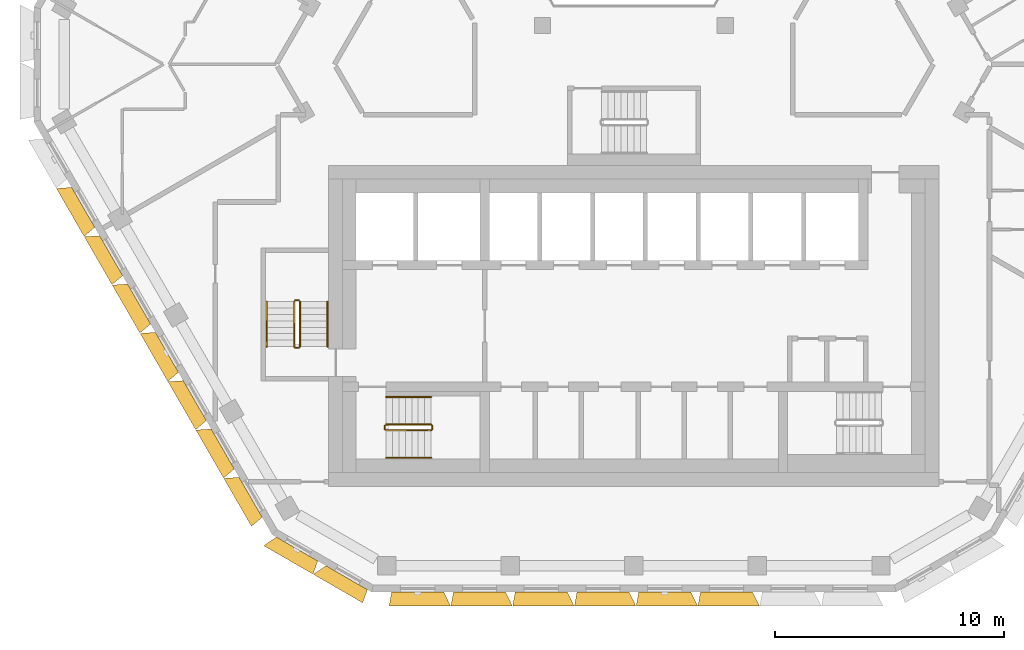
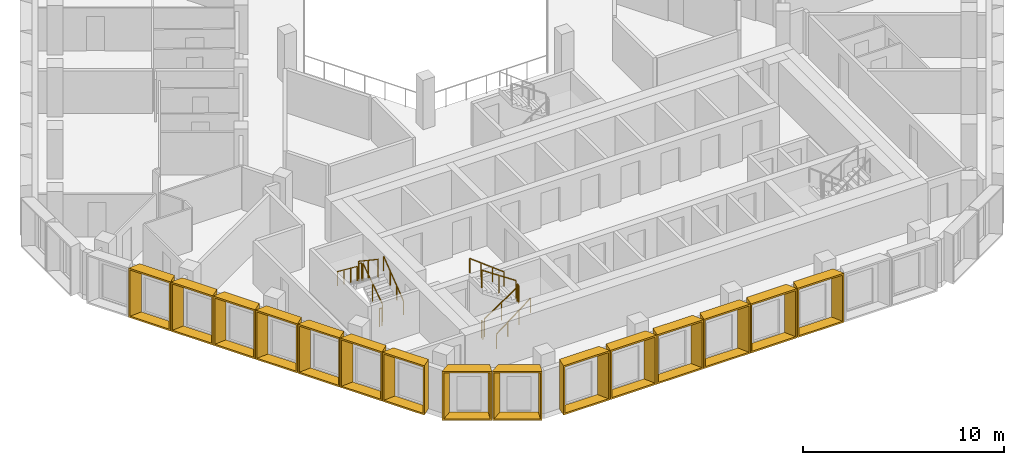
# One storey, part 14 of 18: 15 shading devices, 12 railings.
"""IFC4 building model written with IfcOpenShell, lengths in metres."""

from ifc_helpers import new_model, entity, si_unit, direction, frame, origin, origin_2d, place, context, subcontext, project, spatial, rectangle, extrude, source, transform, mapped, material, type_object, type_shapes, element, save


model = new_model("IFC4")

# Units and contexts
model_context = context("Model", 3, precision=1e-05, world=origin(), true_north=direction((0.0, 1.0)))
body_context = subcontext(model_context, "Body", "Model", "MODEL_VIEW")
ifc_project = project(units=[si_unit("LENGTHUNIT", "METRE"), si_unit("AREAUNIT", "SQUARE_METRE"), si_unit("VOLUMEUNIT", "CUBIC_METRE"), si_unit("PLANEANGLEUNIT", "RADIAN"), si_unit("MASSUNIT", "GRAM", prefix="KILO")], contexts=[model_context])

# Site, building, storey
site_placement = place(None, origin())
site = spatial("IfcSite", under=ifc_project, at=site_placement, CompositionType="ELEMENT")
building_placement = place(site_placement, origin())
building = spatial("IfcBuilding", under=site, at=building_placement, Name="Beryl Residences", CompositionType="ELEMENT")
storey_placement = place(building_placement, frame((0.0, 0.0, 196.199951171875)))
storey = spatial("IfcBuildingStorey", under=building, at=storey_placement, Name="L60", CompositionType="ELEMENT", Elevation=196.199951171875)

# Shading devices
ifc_material_1 = material(Name="Aluminium pale anodised", Category="aluminium")
shading_device_type_1 = type_object("IfcShadingDeviceType", Name="FR243-60B OUTER SKIN frame 600 mm deep, splay 26/10 deg, 2430 x 3000 mm cell", PredefinedType="USERDEFINED", material=ifc_material_1)
cartesian_point_1 = entity("IfcCartesianPoint", [-1.005615234375, 0.0])
cartesian_point_2 = entity("IfcCartesianPoint", [-0.91650390625, 0.10009765625])
cartesian_point_3 = entity("IfcCartesianPoint", [-1.298095703125, 0.0])
cartesian_point_4 = entity("IfcCartesianPoint", [-1.209228515625, 0.10009765625])
shared_shape_1 = source(origin(), body_context, "Body", "SweptSolid", [
    entity("IfcExtrudedAreaSolidTapered", entity("IfcArbitraryProfileDefWithVoids", "AREA", None, entity("IfcPolyline", [cartesian_point_1, entity("IfcCartesianPoint", [1.005615234375, 0.0]), entity("IfcCartesianPoint", [1.005615234375, 3.0]), entity("IfcCartesianPoint", [-1.005615234375, 3.0]), cartesian_point_1]), [entity("IfcPolyline", [cartesian_point_2, entity("IfcCartesianPoint", [0.92431640625, 0.10009765625]), entity("IfcCartesianPoint", [0.92431640625, 2.89990234375]), entity("IfcCartesianPoint", [-0.91650390625, 2.89990234375]), cartesian_point_2])]), entity("IfcAxis2Placement3D", entity("IfcCartesianPoint", [0.0, 0.0, 0.0]), entity("IfcDirection", [0.0, 1.0, 0.0]), entity("IfcDirection", [-1.0, 0.0, 0.0])), entity("IfcDirection", [0.0, 0.0, 1.0]), 0.60009765625, entity("IfcArbitraryProfileDefWithVoids", "AREA", None, entity("IfcPolyline", [cartesian_point_3, entity("IfcCartesianPoint", [1.111328125, 0.0]), entity("IfcCartesianPoint", [1.111328125, 3.0]), entity("IfcCartesianPoint", [-1.298095703125, 3.0]), cartesian_point_3]), [entity("IfcPolyline", [cartesian_point_4, entity("IfcCartesianPoint", [1.030029296875, 0.10009765625]), entity("IfcCartesianPoint", [1.030029296875, 2.89990234375]), entity("IfcCartesianPoint", [-1.209228515625, 2.89990234375]), cartesian_point_4])])),
])
type_shapes(shading_device_type_1, [shared_shape_1])
for number, where, z_axis, x_axis, name in (
    (1, (-23.9970703125, -6.833984375, 0.0), (0.0, 0.0, 1.0), (-0.5, 0.866025403784, 0.0), "FR243-60B frame L60 SW 2"),
    (2, (-22.781005859375, -8.93994140625, 0.0), (0.0, 0.0, 1.0), (-0.5, 0.866025403784, 0.0), "FR243-60B frame L60 SW 3"),
    (3, (-21.56494140625, -11.0458984375, 0.0), (0.0, 0.0, 1.0), (-0.5, 0.866025403784, 0.0), "FR243-60B frame L60 SW 4"),
    (4, (-20.35009765625, -13.152099609375, 0.0), (0.0, 0.0, 1.0), (-0.5, 0.866025403784, 0.0), "FR243-60B frame L60 SW 5"),
    (5, (-19.134033203125, -15.258056640625, 0.0), (0.0, 0.0, 1.0), (-0.5, 0.866025403784, 0.0), "FR243-60B frame L60 SW 6"),
    (6, (-17.91796875, -17.364990234375, 0.0), (0.0, 0.0, 1.0), (-0.5, 0.866025403784, 0.0), "FR243-60B frame L60 SW 7"),
    (7, (-16.701904296875, -19.470947265625, 0.0), (0.0, 0.0, 1.0), (-0.5, 0.866025403784, 0.0), "FR243-60B frame L60 SW 8"),
):
    element("IfcShadingDevice", number, at=place(storey_placement, frame(where, z_axis=z_axis, x_axis=x_axis)), inside=storey, type_object=shading_device_type_1, Name=name, ObjectType="OUTER SKIN", PredefinedType="USERDEFINED", context=body_context, shape_type="MappedRepresentation", body=[
        mapped(shared_shape_1, transform((0.0, 0.0, 0.0))),
    ])
ifc_material_2 = material(Name="Aluminium pale anodised", Category="aluminium")
shading_device_type_2 = type_object("IfcShadingDeviceType", Name="FR250-60B OUTER SKIN frame 600 mm deep, splay 26/10 deg, 2500 x 3000 mm cell", PredefinedType="USERDEFINED", material=ifc_material_2)
cartesian_point_5 = entity("IfcCartesianPoint", [-1.04052734375, 0.0])
cartesian_point_6 = entity("IfcCartesianPoint", [-0.951416015625, 0.10009765625])
cartesian_point_7 = entity("IfcCartesianPoint", [-1.333251953125, 0.0])
cartesian_point_8 = entity("IfcCartesianPoint", [-1.244140625, 0.10009765625])
shared_shape_2 = source(origin(), body_context, "Body", "SweptSolid", [
    entity("IfcExtrudedAreaSolidTapered", entity("IfcArbitraryProfileDefWithVoids", "AREA", None, entity("IfcPolyline", [cartesian_point_5, entity("IfcCartesianPoint", [1.04052734375, 0.0]), entity("IfcCartesianPoint", [1.04052734375, 3.0]), entity("IfcCartesianPoint", [-1.04052734375, 3.0]), cartesian_point_5]), [entity("IfcPolyline", [cartesian_point_6, entity("IfcCartesianPoint", [0.959228515625, 0.10009765625]), entity("IfcCartesianPoint", [0.959228515625, 2.89990234375]), entity("IfcCartesianPoint", [-0.951416015625, 2.89990234375]), cartesian_point_6])]), entity("IfcAxis2Placement3D", entity("IfcCartesianPoint", [0.0, 0.0, 0.0]), entity("IfcDirection", [0.0, 1.0, 0.0]), entity("IfcDirection", [-1.0, 0.0, 0.0])), entity("IfcDirection", [0.0, 0.0, 1.0]), 0.60009765625, entity("IfcArbitraryProfileDefWithVoids", "AREA", None, entity("IfcPolyline", [cartesian_point_7, entity("IfcCartesianPoint", [1.146240234375, 0.0]), entity("IfcCartesianPoint", [1.146240234375, 3.0]), entity("IfcCartesianPoint", [-1.333251953125, 3.0]), cartesian_point_7]), [entity("IfcPolyline", [cartesian_point_8, entity("IfcCartesianPoint", [1.06494140625, 0.10009765625]), entity("IfcCartesianPoint", [1.06494140625, 2.89990234375]), entity("IfcCartesianPoint", [-1.244140625, 2.89990234375]), cartesian_point_8])])),
])
type_shapes(shading_device_type_2, [shared_shape_2])
for number, where, z_axis, x_axis, name in (
    (8, (-14.677978515625, -21.72509765625, 0.0), (0.0, 0.0, 1.0), (-0.866025403784, 0.5, 0.0), "FR250-60B frame L60 SW-S 1"),
    (9, (-12.513916015625, -22.97509765625, 0.0), (0.0, 0.0, 1.0), (-0.866025403784, 0.5, 0.0), "FR250-60B frame L60 SW-S 2"),
):
    element("IfcShadingDevice", number, at=place(storey_placement, frame(where, z_axis=z_axis, x_axis=x_axis)), inside=storey, type_object=shading_device_type_2, Name=name, ObjectType="OUTER SKIN", PredefinedType="USERDEFINED", context=body_context, shape_type="MappedRepresentation", body=[
        mapped(shared_shape_2, transform((0.0, 0.0, 0.0))),
    ])
ifc_material_3 = material(Name="Aluminium pale anodised", Category="aluminium")
shading_device_type_3 = type_object("IfcShadingDeviceType", Name="FR269-60C OUTER SKIN frame 600 mm deep, splay 10/26 deg, 2690 x 3000 mm cell", PredefinedType="USERDEFINED", material=ifc_material_3)
cartesian_point_9 = entity("IfcCartesianPoint", [-1.135498046875, 0.0])
cartesian_point_10 = entity("IfcCartesianPoint", [-1.05419921875, 0.10009765625])
cartesian_point_11 = entity("IfcCartesianPoint", [-1.2412109375, 0.0])
cartesian_point_12 = entity("IfcCartesianPoint", [-1.16015625, 0.10009765625])
shared_shape_3 = source(origin(), body_context, "Body", "SweptSolid", [
    entity("IfcExtrudedAreaSolidTapered", entity("IfcArbitraryProfileDefWithVoids", "AREA", None, entity("IfcPolyline", [cartesian_point_9, entity("IfcCartesianPoint", [1.135498046875, 0.0]), entity("IfcCartesianPoint", [1.135498046875, 3.0]), entity("IfcCartesianPoint", [-1.135498046875, 3.0]), cartesian_point_9]), [entity("IfcPolyline", [cartesian_point_10, entity("IfcCartesianPoint", [1.04638671875, 0.10009765625]), entity("IfcCartesianPoint", [1.04638671875, 2.89990234375]), entity("IfcCartesianPoint", [-1.05419921875, 2.89990234375]), cartesian_point_10])]), entity("IfcAxis2Placement3D", entity("IfcCartesianPoint", [0.0, 0.0, 0.0]), entity("IfcDirection", [0.0, 1.0, 0.0]), entity("IfcDirection", [-1.0, 0.0, 0.0])), entity("IfcDirection", [0.0, 0.0, 1.0]), 0.60009765625, entity("IfcArbitraryProfileDefWithVoids", "AREA", None, entity("IfcPolyline", [cartesian_point_11, entity("IfcCartesianPoint", [1.42822265625, 0.0]), entity("IfcCartesianPoint", [1.42822265625, 3.0]), entity("IfcCartesianPoint", [-1.2412109375, 3.0]), cartesian_point_11]), [entity("IfcPolyline", [cartesian_point_12, entity("IfcCartesianPoint", [1.339111328125, 0.10009765625]), entity("IfcCartesianPoint", [1.339111328125, 2.89990234375]), entity("IfcCartesianPoint", [-1.16015625, 2.89990234375]), cartesian_point_12])])),
])
type_shapes(shading_device_type_3, [shared_shape_3])
for number, where, z_axis, x_axis, name in (
    (10, (-9.4208984375, -23.60009765625, 0.0), (0.0, 0.0, 1.0), (-1.0, 0.0, 0.0), "FR269-60C frame L60 S 1"),
    (11, (-6.72900390625, -23.60009765625, 0.0), (0.0, 0.0, 1.0), (-1.0, 0.0, 0.0), "FR269-60C frame L60 S 2"),
    (12, (-4.037109375, -23.60009765625, 0.0), (0.0, 0.0, 1.0), (-1.0, 0.0, 0.0), "FR269-60C frame L60 S 3"),
    (13, (-1.344970703125, -23.60009765625, 0.0), (0.0, 0.0, 1.0), (-1.0, 0.0, 0.0), "FR269-60C frame L60 S 4"),
    (14, (1.346923828125, -23.60009765625, 0.0), (0.0, 0.0, 1.0), (-1.0, 0.0, 0.0), "FR269-60C frame L60 S 5"),
    (15, (4.0390625, -23.60009765625, 0.0), (0.0, 0.0, 1.0), (-1.0, 0.0, 0.0), "FR269-60C frame L60 S 6"),
):
    element("IfcShadingDevice", number, at=place(storey_placement, frame(where, z_axis=z_axis, x_axis=x_axis)), inside=storey, type_object=shading_device_type_3, Name=name, ObjectType="OUTER SKIN", PredefinedType="USERDEFINED", context=body_context, shape_type="MappedRepresentation", body=[
        mapped(shared_shape_3, transform((0.0, 0.0, 0.0))),
    ])

# Railings
ifc_material_4 = material(Name="Stainless steel balustrade with glass infill", Category="steel")
railing_type_1 = type_object("IfcRailingType", Name="SG1 stair guard 1100 mm", PredefinedType="GUARDRAIL", material=ifc_material_4)
railing_1_placement = place(storey_placement, frame((-10.800048828125, -16.550048828125, 0.1875)))
element("IfcRailing", 16, at=railing_1_placement, inside=storey, type_object=railing_type_1, Name="L60 ST-1 stair guard 1", PredefinedType="GUARDRAIL", context=body_context, shape_type="SweptSolid", body=[
    extrude(rectangle(XDim=0.048095703125, YDim=0.048095703125, at=origin_2d()), frame((0.0, 0.0, 1.076171875), z_axis=(0.830902050051, 0.0, 0.556418712142), x_axis=(0.0, 1.0, 0.0)), (0.0, 0.0, 1.0), 2.35888671875),
    extrude(rectangle(XDim=0.0419921875, YDim=0.0419921875, at=origin_2d()), origin(), (0.0, 0.0, 1.0), 1.052001953125),
    extrude(rectangle(XDim=0.0419921875, YDim=0.0419921875, at=origin_2d()), frame((0.97998046875, 0.0, 0.65625)), (0.0, 0.0, 1.0), 1.052001953125),
    extrude(rectangle(XDim=0.0419921875, YDim=0.0419921875, at=origin_2d()), frame((1.9599609375, 0.0, 1.3125)), (0.0, 0.0, 1.0), 1.052001953125),
])
railing_2_placement = place(storey_placement, frame((-8.7900390625, -16.5, 1.5)))
element("IfcRailing", 17, at=railing_2_placement, inside=storey, type_object=railing_type_1, Name="L60 ST-1 stair guard 2", PredefinedType="GUARDRAIL", context=body_context, shape_type="SweptSolid", body=[
    extrude(rectangle(XDim=0.048095703125, YDim=0.048095703125, at=origin_2d()), frame((0.0, 0.0, 1.076171875), z_axis=(0.0, 1.0, 0.0), x_axis=(-1.0, 0.0, 0.0)), (0.0, 0.0, 1.0), 0.14990234375),
    extrude(rectangle(XDim=0.0419921875, YDim=0.0419921875, at=origin_2d()), origin(), (0.0, 0.0, 1.0), 1.052001953125),
    extrude(rectangle(XDim=0.0419921875, YDim=0.0419921875, at=origin_2d()), frame((0.0, 0.14990234375, 0.0)), (0.0, 0.0, 1.0), 1.052001953125),
])
railing_3_placement = place(storey_placement, frame((-8.840087890625, -16.300048828125, 1.6875)))
element("IfcRailing", 18, at=railing_3_placement, inside=storey, type_object=railing_type_1, Name="L60 ST-1 stair guard 3", PredefinedType="GUARDRAIL", context=body_context, shape_type="SweptSolid", body=[
    extrude(rectangle(XDim=0.048095703125, YDim=0.048095703125, at=origin_2d()), frame((0.0, 0.0, 1.076171875), z_axis=(-0.830902050051, 0.0, 0.556418712142), x_axis=(0.0, -1.0, 0.0)), (0.0, 0.0, 1.0), 2.35888671875),
    extrude(rectangle(XDim=0.0419921875, YDim=0.0419921875, at=origin_2d()), origin(), (0.0, 0.0, 1.0), 1.052001953125),
    extrude(rectangle(XDim=0.0419921875, YDim=0.0419921875, at=origin_2d()), frame((-0.97998046875, 0.0, 0.65625)), (0.0, 0.0, 1.0), 1.052001953125),
    extrude(rectangle(XDim=0.0419921875, YDim=0.0419921875, at=origin_2d()), frame((-1.9599609375, 0.0, 1.3125)), (0.0, 0.0, 1.0), 1.052001953125),
])
railing_4_placement = place(storey_placement, frame((-10.85009765625, -16.5, 0.0)))
element("IfcRailing", 19, at=railing_4_placement, inside=storey, type_object=railing_type_1, Name="L60 ST-1 stair guard 4", PredefinedType="GUARDRAIL", context=body_context, shape_type="SweptSolid", body=[
    extrude(rectangle(XDim=0.048095703125, YDim=0.048095703125, at=origin_2d()), frame((0.0, 0.0, 1.076171875), z_axis=(0.0, 1.0, 0.0), x_axis=(-1.0, 0.0, 0.0)), (0.0, 0.0, 1.0), 0.14990234375),
    extrude(rectangle(XDim=0.0419921875, YDim=0.0419921875, at=origin_2d()), origin(), (0.0, 0.0, 1.0), 1.052001953125),
    extrude(rectangle(XDim=0.0419921875, YDim=0.0419921875, at=origin_2d()), frame((0.0, 0.14990234375, 0.0)), (0.0, 0.0, 1.0), 1.052001953125),
])
railing_5_placement = place(storey_placement, frame((-14.550048828125, -12.89990234375, 0.1875)))
element("IfcRailing", 20, at=railing_5_placement, inside=storey, type_object=railing_type_1, Name="L60 ST-2 stair guard 1", PredefinedType="GUARDRAIL", context=body_context, shape_type="SweptSolid", body=[
    extrude(rectangle(XDim=0.048095703125, YDim=0.048095703125, at=origin_2d()), frame((0.0, 0.0, 1.076171875), z_axis=(0.0, 0.830902050051, 0.556418712142), x_axis=(-1.0, 0.0, 0.0)), (0.0, 0.0, 1.0), 2.35888671875),
    extrude(rectangle(XDim=0.0419921875, YDim=0.0419921875, at=origin_2d()), origin(), (0.0, 0.0, 1.0), 1.052001953125),
    extrude(rectangle(XDim=0.0419921875, YDim=0.0419921875, at=origin_2d()), frame((0.0, 0.97998046875, 0.65625)), (0.0, 0.0, 1.0), 1.052001953125),
    extrude(rectangle(XDim=0.0419921875, YDim=0.0419921875, at=origin_2d()), frame((0.0, 1.9599609375, 1.3125)), (0.0, 0.0, 1.0), 1.052001953125),
])
railing_6_placement = place(storey_placement, frame((-14.60009765625, -10.889892578125, 1.5)))
element("IfcRailing", 21, at=railing_6_placement, inside=storey, type_object=railing_type_1, Name="L60 ST-2 stair guard 2", PredefinedType="GUARDRAIL", context=body_context, shape_type="SweptSolid", body=[
    extrude(rectangle(XDim=0.048095703125, YDim=0.048095703125, at=origin_2d()), frame((0.0, 0.0, 1.076171875), z_axis=(-1.0, 0.0, 0.0), x_axis=(0.0, -1.0, 0.0)), (0.0, 0.0, 1.0), 0.14990234375),
    extrude(rectangle(XDim=0.0419921875, YDim=0.0419921875, at=origin_2d()), origin(), (0.0, 0.0, 1.0), 1.052001953125),
    extrude(rectangle(XDim=0.0419921875, YDim=0.0419921875, at=origin_2d()), frame((-0.14990234375, 0.0, 0.0)), (0.0, 0.0, 1.0), 1.052001953125),
])
railing_7_placement = place(storey_placement, frame((-14.800048828125, -10.93994140625, 1.6875)))
element("IfcRailing", 22, at=railing_7_placement, inside=storey, type_object=railing_type_1, Name="L60 ST-2 stair guard 3", PredefinedType="GUARDRAIL", context=body_context, shape_type="SweptSolid", body=[
    extrude(rectangle(XDim=0.048095703125, YDim=0.048095703125, at=origin_2d()), frame((0.0, 0.0, 1.076171875), z_axis=(0.0, -0.830902050051, 0.556418712142), x_axis=(1.0, 0.0, 0.0)), (0.0, 0.0, 1.0), 2.35888671875),
    extrude(rectangle(XDim=0.0419921875, YDim=0.0419921875, at=origin_2d()), origin(), (0.0, 0.0, 1.0), 1.052001953125),
    extrude(rectangle(XDim=0.0419921875, YDim=0.0419921875, at=origin_2d()), frame((0.0, -0.97998046875, 0.65625)), (0.0, 0.0, 1.0), 1.052001953125),
    extrude(rectangle(XDim=0.0419921875, YDim=0.0419921875, at=origin_2d()), frame((0.0, -1.9599609375, 1.3125)), (0.0, 0.0, 1.0), 1.052001953125),
])
railing_8_placement = place(storey_placement, frame((-14.60009765625, -12.949951171875, 0.0)))
element("IfcRailing", 23, at=railing_8_placement, inside=storey, type_object=railing_type_1, Name="L60 ST-2 stair guard 4", PredefinedType="GUARDRAIL", context=body_context, shape_type="SweptSolid", body=[
    extrude(rectangle(XDim=0.048095703125, YDim=0.048095703125, at=origin_2d()), frame((0.0, 0.0, 1.076171875), z_axis=(-1.0, 0.0, 0.0), x_axis=(0.0, -1.0, 0.0)), (0.0, 0.0, 1.0), 0.14990234375),
    extrude(rectangle(XDim=0.0419921875, YDim=0.0419921875, at=origin_2d()), origin(), (0.0, 0.0, 1.0), 1.052001953125),
    extrude(rectangle(XDim=0.0419921875, YDim=0.0419921875, at=origin_2d()), frame((-0.14990234375, 0.0, 0.0)), (0.0, 0.0, 1.0), 1.052001953125),
])
ifc_material_5 = material(Name="Stainless steel handrail", Category="steel")
railing_type_2 = type_object("IfcRailingType", Name="SRL1 stair handrail 900 mm", PredefinedType="HANDRAIL", material=ifc_material_5)
railing_9_placement = place(storey_placement, frame((-10.800048828125, -17.75, 0.1875)))
element("IfcRailing", 24, at=railing_9_placement, inside=storey, type_object=railing_type_2, Name="L60 ST-1 stair handrail 1", PredefinedType="HANDRAIL", context=body_context, shape_type="SweptSolid", body=[
    extrude(rectangle(XDim=0.048095703125, YDim=0.048095703125, at=origin_2d()), frame((0.0, 0.0, 0.8759765625), z_axis=(0.794121922505, 0.0, 0.607758481798), x_axis=(0.0, 1.0, 0.0)), (0.0, 0.0, 1.0), 2.468017578125),
    extrude(rectangle(XDim=0.0419921875, YDim=0.0419921875, at=origin_2d()), origin(), (0.0, 0.0, 1.0), 0.851806640625),
    extrude(rectangle(XDim=0.0419921875, YDim=0.0419921875, at=origin_2d()), frame((0.6533203125, 0.0, 0.5)), (0.0, 0.0, 1.0), 0.851806640625),
    extrude(rectangle(XDim=0.0419921875, YDim=0.0419921875, at=origin_2d()), frame((1.306640625, 0.0, 1.0)), (0.0, 0.0, 1.0), 0.851806640625),
    extrude(rectangle(XDim=0.0419921875, YDim=0.0419921875, at=origin_2d()), frame((1.9599609375, 0.0, 1.5)), (0.0, 0.0, 1.0), 0.851806640625),
])
railing_10_placement = place(storey_placement, frame((-8.840087890625, -15.10009765625, 1.6875)))
element("IfcRailing", 25, at=railing_10_placement, inside=storey, type_object=railing_type_2, Name="L60 ST-1 stair handrail 2", PredefinedType="HANDRAIL", context=body_context, shape_type="SweptSolid", body=[
    extrude(rectangle(XDim=0.048095703125, YDim=0.048095703125, at=origin_2d()), frame((0.0, 0.0, 0.8759765625), z_axis=(-0.794121922505, 0.0, 0.607758481798), x_axis=(0.0, -1.0, 0.0)), (0.0, 0.0, 1.0), 2.468017578125),
    extrude(rectangle(XDim=0.0419921875, YDim=0.0419921875, at=origin_2d()), origin(), (0.0, 0.0, 1.0), 0.851806640625),
    extrude(rectangle(XDim=0.0419921875, YDim=0.0419921875, at=origin_2d()), frame((-0.6533203125, 0.0, 0.5)), (0.0, 0.0, 1.0), 0.851806640625),
    extrude(rectangle(XDim=0.0419921875, YDim=0.0419921875, at=origin_2d()), frame((-1.306640625, 0.0, 1.0)), (0.0, 0.0, 1.0), 0.851806640625),
    extrude(rectangle(XDim=0.0419921875, YDim=0.0419921875, at=origin_2d()), frame((-1.9599609375, 0.0, 1.5)), (0.0, 0.0, 1.0), 0.851806640625),
])
railing_11_placement = place(storey_placement, frame((-13.35009765625, -12.89990234375, 0.1875)))
element("IfcRailing", 26, at=railing_11_placement, inside=storey, type_object=railing_type_2, Name="L60 ST-2 stair handrail 1", PredefinedType="HANDRAIL", context=body_context, shape_type="SweptSolid", body=[
    extrude(rectangle(XDim=0.048095703125, YDim=0.048095703125, at=origin_2d()), frame((0.0, 0.0, 0.8759765625), z_axis=(0.0, 0.794121922505, 0.607758481798), x_axis=(-1.0, 0.0, 0.0)), (0.0, 0.0, 1.0), 2.468017578125),
    extrude(rectangle(XDim=0.0419921875, YDim=0.0419921875, at=origin_2d()), origin(), (0.0, 0.0, 1.0), 0.851806640625),
    extrude(rectangle(XDim=0.0419921875, YDim=0.0419921875, at=origin_2d()), frame((0.0, 0.6533203125, 0.5)), (0.0, 0.0, 1.0), 0.851806640625),
    extrude(rectangle(XDim=0.0419921875, YDim=0.0419921875, at=origin_2d()), frame((0.0, 1.306640625, 1.0)), (0.0, 0.0, 1.0), 0.851806640625),
    extrude(rectangle(XDim=0.0419921875, YDim=0.0419921875, at=origin_2d()), frame((0.0, 1.9599609375, 1.5)), (0.0, 0.0, 1.0), 0.851806640625),
])
railing_12_placement = place(storey_placement, frame((-16.0, -10.93994140625, 1.6875)))
element("IfcRailing", 27, at=railing_12_placement, inside=storey, type_object=railing_type_2, Name="L60 ST-2 stair handrail 2", PredefinedType="HANDRAIL", context=body_context, shape_type="SweptSolid", body=[
    extrude(rectangle(XDim=0.048095703125, YDim=0.048095703125, at=origin_2d()), frame((0.0, 0.0, 0.8759765625), z_axis=(0.0, -0.794121922505, 0.607758481798), x_axis=(1.0, 0.0, 0.0)), (0.0, 0.0, 1.0), 2.468017578125),
    extrude(rectangle(XDim=0.0419921875, YDim=0.0419921875, at=origin_2d()), origin(), (0.0, 0.0, 1.0), 0.851806640625),
    extrude(rectangle(XDim=0.0419921875, YDim=0.0419921875, at=origin_2d()), frame((0.0, -0.6533203125, 0.5)), (0.0, 0.0, 1.0), 0.851806640625),
    extrude(rectangle(XDim=0.0419921875, YDim=0.0419921875, at=origin_2d()), frame((0.0, -1.306640625, 1.0)), (0.0, 0.0, 1.0), 0.851806640625),
    extrude(rectangle(XDim=0.0419921875, YDim=0.0419921875, at=origin_2d()), frame((0.0, -1.9599609375, 1.5)), (0.0, 0.0, 1.0), 0.851806640625),
])

save(model, "model.ifc")
